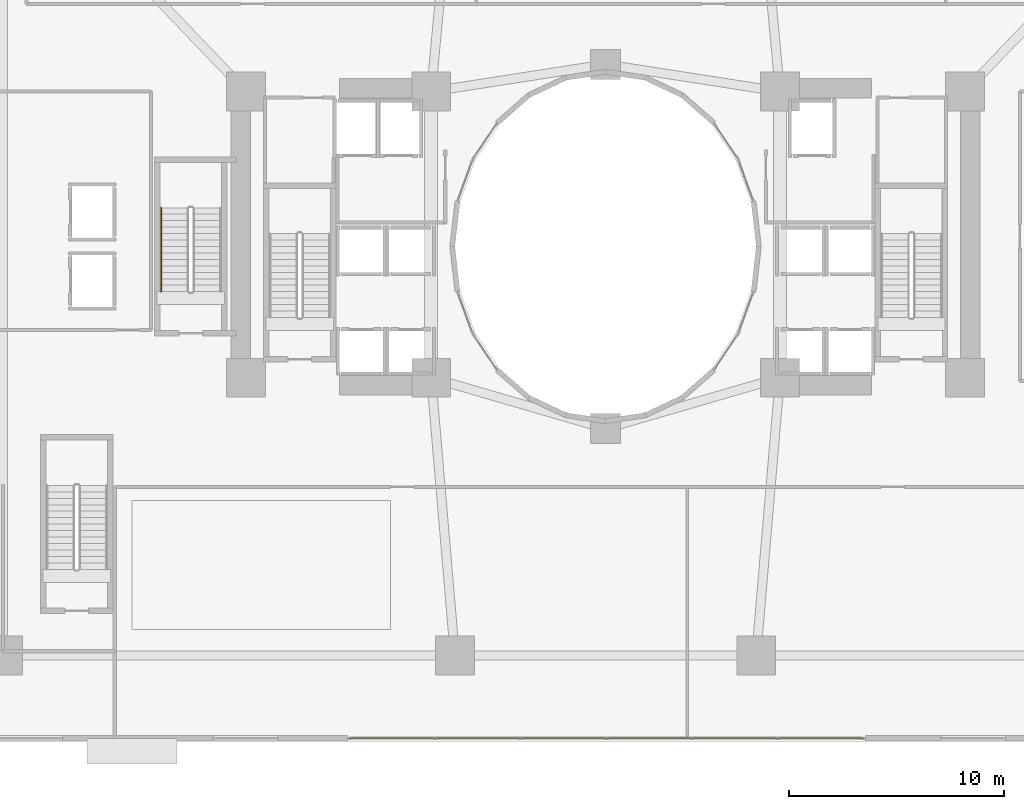
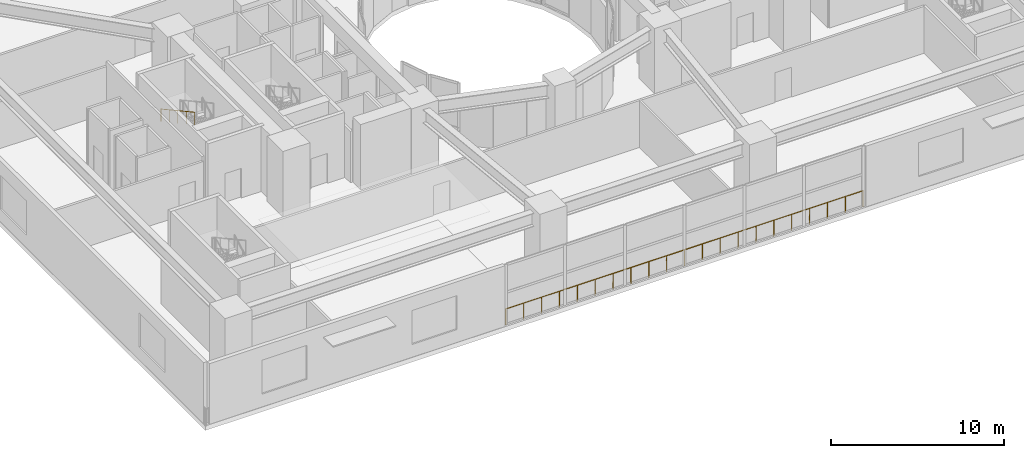
# One storey, part 20 of 25: 2 railings.
"""IFC4 building model written with IfcOpenShell, lengths in metres."""

from ifc_helpers import new_model, si_unit, direction, frame, origin, origin_2d, place, context, subcontext, project, spatial, circle, extrude, material, type_object, element, save


model = new_model("IFC4")

# Units and contexts
model_context = context("Model", 3, precision=1e-05, world=origin(), true_north=direction((0.0, 1.0)))
body_context = subcontext(model_context, "Body", "Model", "MODEL_VIEW")
ifc_project = project(units=[si_unit("LENGTHUNIT", "METRE"), si_unit("AREAUNIT", "SQUARE_METRE"), si_unit("VOLUMEUNIT", "CUBIC_METRE"), si_unit("PLANEANGLEUNIT", "RADIAN"), si_unit("MASSUNIT", "GRAM", prefix="KILO")], contexts=[model_context])

# Site, building, storey
site_placement = place(None, origin())
site = spatial("IfcSite", under=ifc_project, at=site_placement, CompositionType="ELEMENT")
building_placement = place(site_placement, origin())
building = spatial("IfcBuilding", under=site, at=building_placement, Name="Solvane Sanctuary Tower", CompositionType="ELEMENT")
storey_placement = place(building_placement, frame((0.0, 0.0, 4.60009765625)))
storey = spatial("IfcBuildingStorey", under=building, at=storey_placement, Name="L02", CompositionType="ELEMENT", Elevation=4.60009765625)

# Railings
ifc_material = material(Name="Architectural Stainless Steel 316", Category="steel")
railing_type_1 = type_object("IfcRailingType", Name="Railing GR-BALC-1150", PredefinedType="BALUSTRADE", material=ifc_material)
railing_1_placement = place(storey_placement, frame((20.1201171875, 0.14990234375, 0.0)))
element("IfcRailing", 1, at=railing_1_placement, inside=storey, type_object=railing_type_1, Name="L02 Podium Curtain-Wall Sill Guard S2", PredefinedType="BALUSTRADE", context=body_context, shape_type="SweptSolid", body=[
    extrude(circle(Radius=0.02392578125, at=origin_2d()), frame((0.0, 0.0, 1.1259765625), z_axis=(1.0, 0.0, 0.0), x_axis=(0.0, 1.0, 0.0)), (0.0, 0.0, 1.0), 23.83984375),
    extrude(circle(Radius=0.02099609375, at=origin_2d()), origin(), (0.0, 0.0, 1.0), 1.101806640625),
    extrude(circle(Radius=0.02099609375, at=origin_2d()), frame((1.19189453125, 0.0, 0.0)), (0.0, 0.0, 1.0), 1.101806640625),
    extrude(circle(Radius=0.02099609375, at=origin_2d()), frame((2.384033203125, 0.0, 0.0)), (0.0, 0.0, 1.0), 1.101806640625),
    extrude(circle(Radius=0.02099609375, at=origin_2d()), frame((3.575927734375, 0.0, 0.0)), (0.0, 0.0, 1.0), 1.101806640625),
    extrude(circle(Radius=0.02099609375, at=origin_2d()), frame((4.76806640625, 0.0, 0.0)), (0.0, 0.0, 1.0), 1.101806640625),
    extrude(circle(Radius=0.02099609375, at=origin_2d()), frame((5.9599609375, 0.0, 0.0)), (0.0, 0.0, 1.0), 1.101806640625),
    extrude(circle(Radius=0.02099609375, at=origin_2d()), frame((7.15185546875, 0.0, 0.0)), (0.0, 0.0, 1.0), 1.101806640625),
    extrude(circle(Radius=0.02099609375, at=origin_2d()), frame((8.343994140625, 0.0, 0.0)), (0.0, 0.0, 1.0), 1.101806640625),
    extrude(circle(Radius=0.02099609375, at=origin_2d()), frame((9.535888671875, 0.0, 0.0)), (0.0, 0.0, 1.0), 1.101806640625),
    extrude(circle(Radius=0.02099609375, at=origin_2d()), frame((10.72802734375, 0.0, 0.0)), (0.0, 0.0, 1.0), 1.101806640625),
    extrude(circle(Radius=0.02099609375, at=origin_2d()), frame((11.919921875, 0.0, 0.0)), (0.0, 0.0, 1.0), 1.101806640625),
    extrude(circle(Radius=0.02099609375, at=origin_2d()), frame((13.11181640625, 0.0, 0.0)), (0.0, 0.0, 1.0), 1.101806640625),
    extrude(circle(Radius=0.02099609375, at=origin_2d()), frame((14.303955078125, 0.0, 0.0)), (0.0, 0.0, 1.0), 1.101806640625),
    extrude(circle(Radius=0.02099609375, at=origin_2d()), frame((15.495849609375, 0.0, 0.0)), (0.0, 0.0, 1.0), 1.101806640625),
    extrude(circle(Radius=0.02099609375, at=origin_2d()), frame((16.68798828125, 0.0, 0.0)), (0.0, 0.0, 1.0), 1.101806640625),
    extrude(circle(Radius=0.02099609375, at=origin_2d()), frame((17.8798828125, 0.0, 0.0)), (0.0, 0.0, 1.0), 1.101806640625),
    extrude(circle(Radius=0.02099609375, at=origin_2d()), frame((19.07177734375, 0.0, 0.0)), (0.0, 0.0, 1.0), 1.101806640625),
    extrude(circle(Radius=0.02099609375, at=origin_2d()), frame((20.263916015625, 0.0, 0.0)), (0.0, 0.0, 1.0), 1.101806640625),
    extrude(circle(Radius=0.02099609375, at=origin_2d()), frame((21.455810546875, 0.0, 0.0)), (0.0, 0.0, 1.0), 1.101806640625),
    extrude(circle(Radius=0.02099609375, at=origin_2d()), frame((22.64794921875, 0.0, 0.0)), (0.0, 0.0, 1.0), 1.101806640625),
    extrude(circle(Radius=0.02099609375, at=origin_2d()), frame((23.83984375, 0.0, 0.0)), (0.0, 0.0, 1.0), 1.101806640625),
])
railing_type_2 = type_object("IfcRailingType", Name="Railing HR-STAIR-920", PredefinedType="HANDRAIL", material=ifc_material)
railing_2_placement = place(storey_placement, frame((11.35009765625, 24.800048828125, 2.464111328125)))
element("IfcRailing", 2, at=railing_2_placement, inside=storey, type_object=railing_type_2, Name="L02 ST-3 stair handrail 2", PredefinedType="HANDRAIL", context=body_context, shape_type="SweptSolid", body=[
    extrude(circle(Radius=0.02392578125, at=origin_2d()), frame((0.0, 0.0, 0.8759765625), z_axis=(0.0, -0.877101224295, 0.480305571839), x_axis=(1.0, 0.0, 0.0)), (0.0, 0.0, 1.0), 4.446533203125),
    extrude(circle(Radius=0.02099609375, at=origin_2d()), origin(), (0.0, 0.0, 1.0), 0.851806640625),
    extrude(circle(Radius=0.02099609375, at=origin_2d()), frame((0.0, -0.97509765625, 0.533935546875)), (0.0, 0.0, 1.0), 0.851806640625),
    extrude(circle(Radius=0.02099609375, at=origin_2d()), frame((0.0, -1.9501953125, 1.06787109375)), (0.0, 0.0, 1.0), 0.851806640625),
    extrude(circle(Radius=0.02099609375, at=origin_2d()), frame((0.0, -2.925048828125, 1.601806640625)), (0.0, 0.0, 1.0), 0.851806640625),
    extrude(circle(Radius=0.02099609375, at=origin_2d()), frame((0.0, -3.900146484375, 2.1357421875)), (0.0, 0.0, 1.0), 0.851806640625),
])

save(model, "model.ifc")
